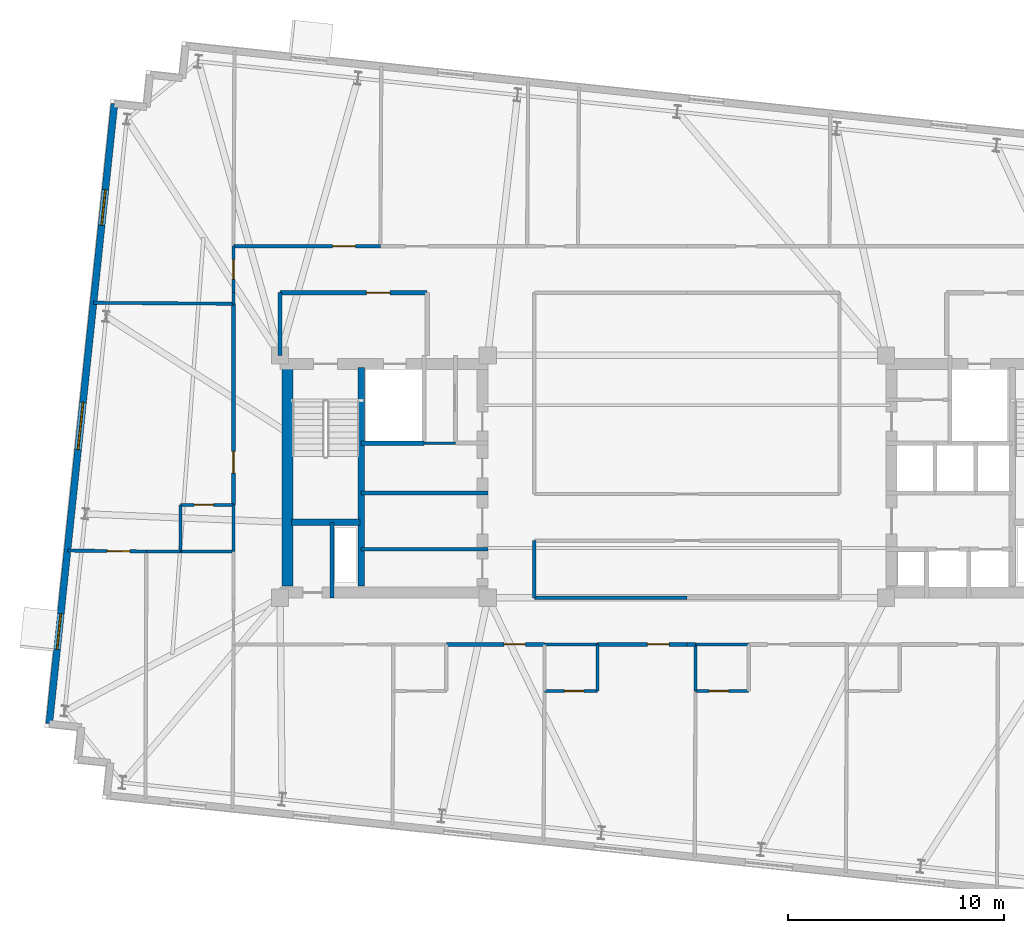
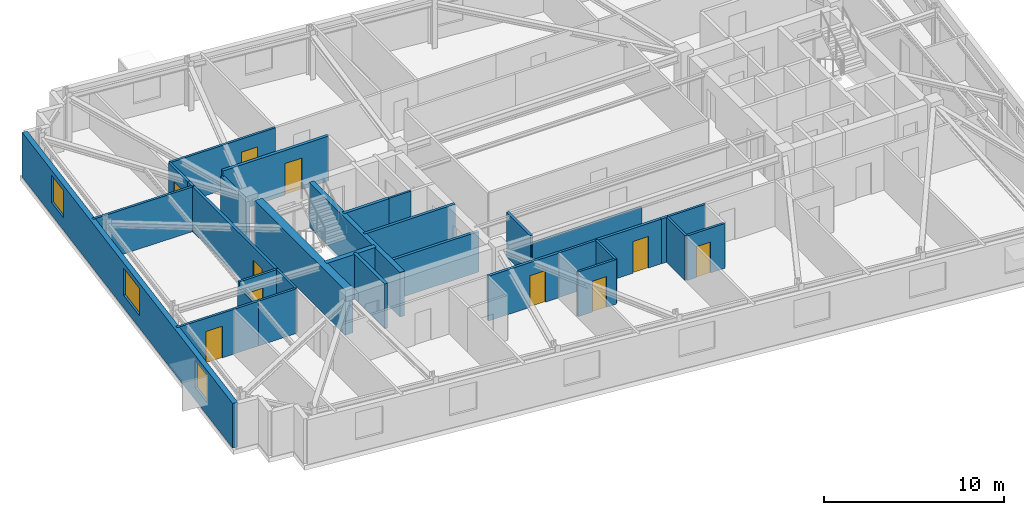
# One storey, part 6 of 11: 33 walls, 10 doors, 3 windows, 13 openings.
"""IFC4 building model written with IfcOpenShell, lengths in metres."""

from ifc_helpers import new_model, si_unit, direction, frame, frame_2d, origin, place, context, subcontext, project, spatial, rectangle, extrude, material, layer, layer_set, type_object, element, fill, save


model = new_model("IFC4")

# Units and contexts
model_context = context("Model", 3, precision=1e-05, world=origin(), true_north=direction((0.0, 1.0)))
body_context = subcontext(model_context, "Body", "Model", "MODEL_VIEW")
ifc_project = project(units=[si_unit("LENGTHUNIT", "METRE"), si_unit("AREAUNIT", "SQUARE_METRE"), si_unit("VOLUMEUNIT", "CUBIC_METRE"), si_unit("PLANEANGLEUNIT", "RADIAN"), si_unit("MASSUNIT", "GRAM", prefix="KILO")], contexts=[model_context])

# Site, building, storey
site_placement = place(None, origin())
site = spatial("IfcSite", under=ifc_project, at=site_placement, CompositionType="ELEMENT")
building_placement = place(site_placement, origin())
building = spatial("IfcBuilding", under=site, at=building_placement, Name="Qobustan Lattice House", CompositionType="ELEMENT")
storey_placement = place(building_placement, frame((0.0, 0.0, 216.5)))
storey = spatial("IfcBuildingStorey", under=building, at=storey_placement, Name="L61", CompositionType="ELEMENT", Elevation=216.5)

# Walls
ifc_material_1 = material(Name="Concrete C50/60", Category="concrete")
ifc_layer_1 = layer(ifc_material_1, 0.5)
ifc_layer_set_1 = layer_set([ifc_layer_1], Name="Concrete C50/60")
wall_type_1 = type_object("IfcWallType", Name="WAL-CORE-500", PredefinedType="SHEAR", material=ifc_layer_set_1)
wall_1_placement = place(storey_placement, frame((-18.4599609375, -5.050048828125, 0.0), z_axis=(0.0, 0.0, 1.0), x_axis=(0.0, 1.0, 0.0)))
element("IfcWall", 1, at=wall_1_placement, inside=storey, type_object=wall_type_1, Name="L61 split-core shear wall CW-W", PredefinedType="SHEAR", context=body_context, shape_type="SweptSolid", body=[
    extrude(rectangle(XDim=10.10009765625, YDim=0.5, at=frame_2d((5.050048828125, 0.0))), origin(), (0.0, 0.0, 1.0), 3.0400390625),
])
ifc_material_2 = material(Name="Concrete C50/60", Category="concrete")
ifc_layer_2 = layer(ifc_material_2, 0.280029296875)
ifc_layer_set_2 = layer_set([ifc_layer_2], Name="Concrete C50/60")
wall_type_2 = type_object("IfcWallType", Name="WAL-CORE-SPINE-280", PredefinedType="SHEAR", material=ifc_layer_set_2)
wall_2_placement = place(storey_placement, frame((-15.050048828125, -5.050048828125, 0.0), z_axis=(0.0, 0.0, 1.0), x_axis=(0.0, 1.0, 0.0)))
element("IfcWall", 2, at=wall_2_placement, inside=storey, type_object=wall_type_2, Name="L61 split-core shear wall CW-M", PredefinedType="SHEAR", context=body_context, shape_type="SweptSolid", body=[
    extrude(rectangle(XDim=10.10009765625, YDim=0.300048828125, at=frame_2d((5.050048828125, 0.0))), origin(), (0.0, 0.0, 1.0), 3.0400390625),
])
wall_3_placement = place(storey_placement, frame((-18.280029296875, -2.110107421875, 0.0), z_axis=(0.0, 0.0, 1.0), x_axis=(1.0, 0.0, 0.0)))
element("IfcWall", 3, at=wall_3_placement, inside=storey, type_object=wall_type_2, Name="L61 split-core shear wall CW-ST", PredefinedType="SHEAR", context=body_context, shape_type="SweptSolid", body=[
    extrude(rectangle(XDim=3.179931640625, YDim=0.300048828125, at=frame_2d((1.58984375, 0.0))), origin(), (0.0, 0.0, 1.0), 3.0400390625),
])

# Wall, openings, windows
ifc_material_3 = material(Name="Precast concrete C40/50", Category="concrete")
ifc_layer_3 = layer(ifc_material_3, 0.320068359375)
ifc_layer_set_3 = layer_set([ifc_layer_3], Name="Precast concrete C40/50")
wall_type_3 = type_object("IfcWallType", Name="WAL-EXT-STONE-320", PredefinedType="SOLIDWALL", material=ifc_layer_set_3)
wall_4_placement = place(storey_placement, frame((-29.46337890625, -11.413818359375, 0.0), z_axis=(0.0, 0.0, 1.0), x_axis=(0.104530779244, 0.994521651947, 0.0)))
wall_4 = element("IfcWall", 4, at=wall_4_placement, inside=storey, type_object=wall_type_3, Name="L61 exterior limestone-clad wall 5", PredefinedType="SOLIDWALL", context=body_context, shape_type="SweptSolid", body=[
    extrude(rectangle(XDim=28.800048828125, YDim=0.320068359375, at=frame_2d((14.39990234375, 0.0))), origin(), (0.0, 0.0, 1.0), 3.0400390625),
])
opening_1_placement = place(wall_4_placement, frame((3.466796875, 0.0, 0.85009765625)))
opening_1 = element("IfcOpeningElement", 5, at=opening_1_placement, cuts=wall_4, Name="Opening WN-09", PredefinedType="OPENING", context=body_context, shape_type="SweptSolid", body=[
    extrude(rectangle(XDim=1.64990234375, YDim=1.85009765625, at=frame_2d((0.824951171875, 0.925048828125))), frame((0.0, 0.169921875, 0.0), z_axis=(0.0, -1.0, 0.0), x_axis=(1.0, 0.0, 0.0)), (0.0, 0.0, 1.0), 0.340087890625),
])
opening_2_placement = place(wall_4_placement, frame((12.73828125, 0.0, 0.85009765625)))
opening_2 = element("IfcOpeningElement", 6, at=opening_2_placement, cuts=wall_4, Name="Opening WN-03", PredefinedType="OPENING", context=body_context, shape_type="SweptSolid", body=[
    extrude(rectangle(XDim=2.199951171875, YDim=1.85009765625, at=frame_2d((1.10009765625, 0.925048828125))), frame((0.0, 0.169921875, 0.0), z_axis=(0.0, -1.0, 0.0), x_axis=(1.0, 0.0, 0.0)), (0.0, 0.0, 1.0), 0.340087890625),
])
opening_3_placement = place(wall_4_placement, frame((23.16162109375, 0.0, 0.85009765625)))
opening_3 = element("IfcOpeningElement", 7, at=opening_3_placement, cuts=wall_4, Name="Opening WN-09", PredefinedType="OPENING", context=body_context, shape_type="SweptSolid", body=[
    extrude(rectangle(XDim=1.64990234375, YDim=1.85009765625, at=frame_2d((0.824951171875, 0.925048828125))), frame((0.0, 0.169921875, 0.0), z_axis=(0.0, -1.0, 0.0), x_axis=(1.0, 0.0, 0.0)), (0.0, 0.0, 1.0), 0.340087890625),
])
ifc_material_4 = material(Name="Double-glazed low-E aluminium window", Category="aluminium")
window_type_1 = type_object("IfcWindowType", Name="WIN-STU-1650x1850", PartitioningType="SINGLE_PANEL", PredefinedType="WINDOW", material=ifc_material_4)
window_1_placement = place(opening_1_placement, origin())
window_1 = element("IfcWindow", 8, at=window_1_placement, inside=storey, type_object=window_type_1, Name="L61 Focus study room W1A window", OverallHeight=1.85009765625, OverallWidth=1.64990234375, PartitioningType="SINGLE_PANEL", PredefinedType="WINDOW", context=body_context, shape_type="SweptSolid", body=[
    extrude(rectangle(XDim=1.64990234375, YDim=1.85009765625, at=frame_2d((0.824951171875, 0.925048828125))), frame((0.0, 0.030029296875, 0.0), z_axis=(0.0, -1.0, 0.0), x_axis=(1.0, 0.0, 0.0)), (0.0, 0.0, 1.0), 0.06005859375),
])
fill(opening_1, window_1)
window_2_placement = place(opening_3_placement, origin())
window_2 = element("IfcWindow", 9, at=window_2_placement, inside=storey, type_object=window_type_1, Name="L61 Focus study room W3 window", OverallHeight=1.85009765625, OverallWidth=1.64990234375, PartitioningType="SINGLE_PANEL", PredefinedType="WINDOW", context=body_context, shape_type="SweptSolid", body=[
    extrude(rectangle(XDim=1.64990234375, YDim=1.85009765625, at=frame_2d((0.824951171875, 0.925048828125))), frame((0.0, 0.030029296875, 0.0), z_axis=(0.0, -1.0, 0.0), x_axis=(1.0, 0.0, 0.0)), (0.0, 0.0, 1.0), 0.06005859375),
])
fill(opening_3, window_2)
ifc_material_5 = material(Name="Double-glazed low-E aluminium window", Category="aluminium")
window_type_2 = type_object("IfcWindowType", Name="WIN-WIDE-2200x1850", PartitioningType="SINGLE_PANEL", PredefinedType="WINDOW", material=ifc_material_5)
window_3_placement = place(opening_2_placement, origin())
window_3 = element("IfcWindow", 10, at=window_3_placement, inside=storey, type_object=window_type_2, Name="L61 Kitchenette and studio apartment L61-W2 window", OverallHeight=1.85009765625, OverallWidth=2.199951171875, PartitioningType="SINGLE_PANEL", PredefinedType="WINDOW", context=body_context, shape_type="SweptSolid", body=[
    extrude(rectangle(XDim=2.199951171875, YDim=1.85009765625, at=frame_2d((1.10009765625, 0.925048828125))), frame((0.0, 0.030029296875, 0.0), z_axis=(0.0, -1.0, 0.0), x_axis=(1.0, 0.0, 0.0)), (0.0, 0.0, 1.0), 0.06005859375),
])
fill(opening_2, window_3)

# Walls
ifc_material_6 = material(Name="Gypsum fireboard acoustic partition", Category="gypsum")
ifc_layer_4 = layer(ifc_material_6, 0.179931640625)
ifc_layer_set_4 = layer_set([ifc_layer_4], Name="Gypsum fireboard acoustic partition")
wall_type_4 = type_object("IfcWallType", Name="WAL-FIRE-180", PredefinedType="PARTITIONING", material=ifc_layer_set_4)
wall_5_placement = place(storey_placement, frame((-15.050048828125, -3.35009765625, 0.0), z_axis=(0.0, 0.0, 1.0), x_axis=(1.0, 0.0, 0.0)))
element("IfcWall", 11, at=wall_5_placement, inside=storey, type_object=wall_type_4, Name="L61 interior partition 10", PredefinedType="PARTITIONING", context=body_context, shape_type="SweptSolid", body=[
    extrude(rectangle(XDim=5.85009765625, YDim=0.179931640625, at=frame_2d((2.925048828125, 0.0))), origin(), (0.0, 0.0, 1.0), 2.7548828125),
])
wall_6_placement = place(storey_placement, frame((-9.199951171875, -0.75, 0.0), z_axis=(0.0, 0.0, 1.0), x_axis=(-1.0, 0.0, 0.0)))
element("IfcWall", 12, at=wall_6_placement, inside=storey, type_object=wall_type_4, Name="L61 interior partition 11", PredefinedType="PARTITIONING", context=body_context, shape_type="SweptSolid", body=[
    extrude(rectangle(XDim=5.85009765625, YDim=0.179931640625, at=frame_2d((2.925048828125, 0.0))), origin(), (0.0, 0.0, 1.0), 3.0400390625),
])

# Wall, opening, door
wall_7_placement = place(storey_placement, frame((-6.5830078125, -7.75, 0.0), z_axis=(0.0, 0.0, 1.0), x_axis=(-1.0, 0.0, 0.0)))
wall_7 = element("IfcWall", 13, at=wall_7_placement, inside=storey, type_object=wall_type_4, Name="L61 interior partition 46", PredefinedType="PARTITIONING", context=body_context, shape_type="SweptSolid", body=[
    extrude(rectangle(XDim=4.533935546875, YDim=0.179931640625, at=frame_2d((2.26708984375, 0.0))), origin(), (0.0, 0.0, 1.0), 3.0400390625),
])
opening_4_placement = place(wall_7_placement, frame((0.876708984375, 0.0, 0.0)))
opening_4 = element("IfcOpeningElement", 14, at=opening_4_placement, cuts=wall_7, Name="Opening FD-02", PredefinedType="OPENING", context=body_context, shape_type="SweptSolid", body=[
    extrude(rectangle(XDim=1.0, YDim=2.14990234375, at=frame_2d((0.5, 1.074951171875))), frame((0.0, 0.099853515625, 0.0), z_axis=(0.0, -1.0, 0.0), x_axis=(1.0, 0.0, 0.0)), (0.0, 0.0, 1.0), 0.199951171875),
])
ifc_material_7 = material(Name="Persian walnut timber and steel frame door", Category="steel")
door_type_1 = type_object("IfcDoorType", Name="DOR-UNIT-FD-1000x2150", OperationType="NOTDEFINED", PredefinedType="DOOR", material=ifc_material_7)
door_1_placement = place(opening_4_placement, origin())
door_1 = element("IfcDoor", 15, at=door_1_placement, inside=storey, type_object=door_type_1, Name="L61 South-west floor corridor to Kitchenette and studio apartment L61-S2 door", OperationType="SINGLE_SWING_RIGHT", OverallHeight=2.14990234375, OverallWidth=1.0, PredefinedType="DOOR", context=body_context, shape_type="SweptSolid", body=[
    extrude(rectangle(XDim=1.0, YDim=2.14990234375, at=frame_2d((0.5, 1.074951171875))), frame((0.0, 0.02490234375, 0.0), z_axis=(0.0, -1.0, 0.0), x_axis=(1.0, 0.0, 0.0)), (0.0, 0.0, 1.0), 0.050048828125),
])
fill(opening_4, door_1)

wall_8_placement = place(storey_placement, frame((0.0, -7.75, 0.0), z_axis=(0.0, 0.0, 1.0), x_axis=(-1.0, 0.0, 0.0)))
wall_8 = element("IfcWall", 16, at=wall_8_placement, inside=storey, type_object=wall_type_4, Name="L61 interior partition 48", PredefinedType="PARTITIONING", context=body_context, shape_type="SweptSolid", body=[
    extrude(rectangle(XDim=4.133056640625, YDim=0.179931640625, at=frame_2d((2.06640625, 0.0))), origin(), (0.0, 0.0, 1.0), 3.0400390625),
])
opening_5_placement = place(wall_8_placement, frame((0.82666015625, 0.0, 0.0)))
opening_5 = element("IfcOpeningElement", 17, at=opening_5_placement, cuts=wall_8, Name="Opening FD-02", PredefinedType="OPENING", context=body_context, shape_type="SweptSolid", body=[
    extrude(rectangle(XDim=1.0, YDim=2.14990234375, at=frame_2d((0.5, 1.074951171875))), frame((0.0, 0.099853515625, 0.0), z_axis=(0.0, -1.0, 0.0), x_axis=(1.0, 0.0, 0.0)), (0.0, 0.0, 1.0), 0.199951171875),
])
door_2_placement = place(opening_5_placement, origin())
door_2 = element("IfcDoor", 18, at=door_2_placement, inside=storey, type_object=door_type_1, Name="L61 South-west floor corridor to Kitchenette and studio apartment L61-S3 door", OperationType="SINGLE_SWING_LEFT", OverallHeight=2.14990234375, OverallWidth=1.0, PredefinedType="DOOR", context=body_context, shape_type="SweptSolid", body=[
    extrude(rectangle(XDim=1.0, YDim=2.14990234375, at=frame_2d((0.5, 1.074951171875))), frame((0.0, 0.02490234375, 0.0), z_axis=(0.0, -1.0, 0.0), x_axis=(1.0, 0.0, 0.0)), (0.0, 0.0, 1.0), 0.050048828125),
])
fill(opening_5, door_2)

# Wall
wall_9_placement = place(storey_placement, frame((0.39990234375, -7.75, 0.0), z_axis=(0.0, 0.0, 1.0), x_axis=(-1.0, 0.0, 0.0)))
element("IfcWall", 19, at=wall_9_placement, inside=storey, type_object=wall_type_4, Name="L61 interior partition 52", PredefinedType="PARTITIONING", context=body_context, shape_type="SweptSolid", body=[
    extrude(rectangle(XDim=0.39990234375, YDim=0.179931640625, at=frame_2d((0.199951171875, 0.0))), origin(), (0.0, 0.0, 1.0), 3.0400390625),
])

# Wall, opening, door
wall_10_placement = place(storey_placement, frame((-20.949951171875, -1.305908203125, 0.0), z_axis=(0.0, 0.0, 1.0), x_axis=(0.0, 1.0, 0.0)))
wall_10 = element("IfcWall", 20, at=wall_10_placement, inside=storey, type_object=wall_type_4, Name="L61 interior partition 60", PredefinedType="PARTITIONING", context=body_context, shape_type="SweptSolid", body=[
    extrude(rectangle(XDim=9.2958984375, YDim=0.179931640625, at=frame_2d((4.64794921875, 0.0))), origin(), (0.0, 0.0, 1.0), 3.0400390625),
])
opening_6_placement = place(wall_10_placement, frame((1.471923828125, 0.0, 0.0)))
opening_6 = element("IfcOpeningElement", 21, at=opening_6_placement, cuts=wall_10, Name="Opening FD-02", PredefinedType="OPENING", context=body_context, shape_type="SweptSolid", body=[
    extrude(rectangle(XDim=1.0, YDim=2.14990234375, at=frame_2d((0.5, 1.074951171875))), frame((0.0, 0.099853515625, 0.0), z_axis=(0.0, -1.0, 0.0), x_axis=(1.0, 0.0, 0.0)), (0.0, 0.0, 1.0), 0.199951171875),
])
door_3_placement = place(opening_6_placement, origin())
door_3 = element("IfcDoor", 22, at=door_3_placement, inside=storey, type_object=door_type_1, Name="L61 West wing spine gallery to Kitchenette and studio apartment L61-W2 door", OperationType="SINGLE_SWING_LEFT", OverallHeight=2.14990234375, OverallWidth=1.0, PredefinedType="DOOR", context=body_context, shape_type="SweptSolid", body=[
    extrude(rectangle(XDim=1.0, YDim=2.14990234375, at=frame_2d((0.5, 1.074951171875))), frame((0.0, 0.02490234375, 0.0), z_axis=(0.0, -1.0, 0.0), x_axis=(1.0, 0.0, 0.0)), (0.0, 0.0, 1.0), 0.050048828125),
])
fill(opening_6, door_3)

# Wall
ifc_material_8 = material(Name="Lightweight acoustic stud partition", Category="gypsum")
ifc_layer_5 = layer(ifc_material_8, 0.125)
ifc_layer_set_5 = layer_set([ifc_layer_5], Name="Lightweight acoustic stud partition")
wall_type_5 = type_object("IfcWallType", Name="WAL-PART-125", PredefinedType="PARTITIONING", material=ifc_layer_set_5)
wall_11_placement = place(storey_placement, frame((-12.14990234375, 1.550048828125, 0.0), z_axis=(0.0, 0.0, 1.0), x_axis=(1.0, 0.0, 0.0)))
element("IfcWall", 23, at=wall_11_placement, inside=storey, type_object=wall_type_5, Name="L61 interior partition 9", PredefinedType="PARTITIONING", context=body_context, shape_type="SweptSolid", body=[
    extrude(rectangle(XDim=1.449951171875, YDim=0.125, at=frame_2d((0.72509765625, 0.0))), origin(), (0.0, 0.0, 1.0), 3.0400390625),
])

# Wall, opening, door
ifc_material_9 = material(Name="Acoustic twin-stud gypsum partition", Category="gypsum")
ifc_layer_6 = layer(ifc_material_9, 0.14990234375)
ifc_layer_set_6 = layer_set([ifc_layer_6], Name="Acoustic twin-stud gypsum partition")
wall_type_6 = type_object("IfcWallType", Name="WAL-PART-150", PredefinedType="PARTITIONING", material=ifc_layer_set_6)
wall_12_placement = place(storey_placement, frame((-20.949951171875, 8.5, 0.0), z_axis=(0.0, 0.0, 1.0), x_axis=(0.0, 1.0, 0.0)))
wall_12 = element("IfcWall", 24, at=wall_12_placement, inside=storey, type_object=wall_type_6, Name="L61 interior partition 34", PredefinedType="PARTITIONING", context=body_context, shape_type="SweptSolid", body=[
    extrude(rectangle(XDim=2.14990234375, YDim=0.14990234375, at=frame_2d((1.074951171875, 0.0))), origin(), (0.0, 0.0, 1.0), 3.0400390625),
])
opening_7_placement = place(wall_12_placement, frame((0.625, 0.0, 0.0)))
opening_7 = element("IfcOpeningElement", 25, at=opening_7_placement, cuts=wall_12, Name="Opening WD-01", PredefinedType="OPENING", context=body_context, shape_type="SweptSolid", body=[
    extrude(rectangle(XDim=0.89990234375, YDim=2.10009765625, at=frame_2d((0.449951171875, 1.050048828125))), frame((0.0, 0.0849609375, 0.0), z_axis=(0.0, -1.0, 0.0), x_axis=(1.0, 0.0, 0.0)), (0.0, 0.0, 1.0), 0.169921875),
])
ifc_material_10 = material(Name="Persian walnut timber and steel frame door", Category="steel")
door_type_2 = type_object("IfcDoorType", Name="DOR-WET-900x2100", OperationType="NOTDEFINED", PredefinedType="DOOR", material=ifc_material_10)
door_4_placement = place(opening_7_placement, origin())
door_4 = element("IfcDoor", 26, at=door_4_placement, inside=storey, type_object=door_type_2, Name="L61 North-west floor corridor to Focus study room W3 door", OperationType="SINGLE_SWING_RIGHT", OverallHeight=2.10009765625, OverallWidth=0.89990234375, PredefinedType="DOOR", context=body_context, shape_type="SweptSolid", body=[
    extrude(rectangle(XDim=0.89990234375, YDim=2.10009765625, at=frame_2d((0.449951171875, 1.050048828125))), frame((0.0, 0.02490234375, 0.0), z_axis=(0.0, -1.0, 0.0), x_axis=(1.0, 0.0, 0.0)), (0.0, 0.0, 1.0), 0.050048828125),
])
fill(opening_7, door_4)

wall_13_placement = place(storey_placement, frame((-20.949951171875, 10.64990234375, 0.0), z_axis=(0.0, 0.0, 1.0), x_axis=(1.0, 0.0, 0.0)))
wall_13 = element("IfcWall", 27, at=wall_13_placement, inside=storey, type_object=wall_type_6, Name="L61 interior partition 35", PredefinedType="PARTITIONING", context=body_context, shape_type="SweptSolid", body=[
    extrude(rectangle(XDim=6.783447265625, YDim=0.14990234375, at=frame_2d((3.3916015625, 0.0))), origin(), (0.0, 0.0, 1.0), 3.0400390625),
])
opening_8_placement = place(wall_13_placement, frame((4.581787109375, 0.0, 0.0)))
opening_8 = element("IfcOpeningElement", 28, at=opening_8_placement, cuts=wall_13, Name="Opening ID-02", PredefinedType="OPENING", context=body_context, shape_type="SweptSolid", body=[
    extrude(rectangle(XDim=1.050048828125, YDim=2.14990234375, at=frame_2d((0.52490234375, 1.074951171875))), frame((0.0, 0.0849609375, 0.0), z_axis=(0.0, -1.0, 0.0), x_axis=(1.0, 0.0, 0.0)), (0.0, 0.0, 1.0), 0.169921875),
])
ifc_material_11 = material(Name="Persian walnut timber and steel frame door", Category="steel")
door_type_3 = type_object("IfcDoorType", Name="DOR-STUDY-1050x2150", OperationType="NOTDEFINED", PredefinedType="DOOR", material=ifc_material_11)
door_5_placement = place(opening_8_placement, origin())
door_5 = element("IfcDoor", 29, at=door_5_placement, inside=storey, type_object=door_type_3, Name="L61 North-west floor corridor to Focus study room N1A door", OperationType="SINGLE_SWING_LEFT", OverallHeight=2.14990234375, OverallWidth=1.050048828125, PredefinedType="DOOR", context=body_context, shape_type="SweptSolid", body=[
    extrude(rectangle(XDim=1.050048828125, YDim=2.14990234375, at=frame_2d((0.52490234375, 1.074951171875))), frame((0.0, 0.02490234375, 0.0), z_axis=(0.0, -1.0, 0.0), x_axis=(1.0, 0.0, 0.0)), (0.0, 0.0, 1.0), 0.050048828125),
])
fill(opening_8, door_5)

# Wall
wall_14_placement = place(storey_placement, frame((-20.949951171875, 7.989990234375, 0.0), z_axis=(0.0, 0.0, 1.0), x_axis=(0.0, 1.0, 0.0)))
element("IfcWall", 30, at=wall_14_placement, inside=storey, type_object=wall_type_6, Name="L61 interior partition 62", PredefinedType="PARTITIONING", context=body_context, shape_type="SweptSolid", body=[
    extrude(rectangle(XDim=0.510009765625, YDim=0.14990234375, at=frame_2d((0.2548828125, 0.0))), origin(), (0.0, 0.0, 1.0), 3.0400390625),
])

# Wall, opening, door
wall_15_placement = place(storey_placement, frame((-28.622314453125, -3.412109375, 0.0), z_axis=(0.0, 0.0, 1.0), x_axis=(0.999927389555, -0.01205054433, 0.0)))
wall_15 = element("IfcWall", 31, at=wall_15_placement, inside=storey, type_object=wall_type_6, Name="L61 interior partition 72", PredefinedType="PARTITIONING", context=body_context, shape_type="SweptSolid", body=[
    extrude(rectangle(XDim=3.646728515625, YDim=0.14990234375, at=frame_2d((1.8232421875, 0.0))), origin(), (0.0, 0.0, 1.0), 3.0400390625),
])
opening_9_placement = place(wall_15_placement, frame((1.837158203125, 0.0, 0.0)))
opening_9 = element("IfcOpeningElement", 32, at=opening_9_placement, cuts=wall_15, Name="Opening ID-02", PredefinedType="OPENING", context=body_context, shape_type="SweptSolid", body=[
    extrude(rectangle(XDim=1.050048828125, YDim=2.14990234375, at=frame_2d((0.52490234375, 1.074951171875))), frame((0.0, 0.0849609375, 0.0), z_axis=(0.0, -1.0, 0.0), x_axis=(1.0, 0.0, 0.0)), (0.0, 0.0, 1.0), 0.169921875),
])
door_6_placement = place(opening_9_placement, origin())
door_6 = element("IfcDoor", 33, at=door_6_placement, inside=storey, type_object=door_type_3, Name="L61 Focus study room W1A to Kitchenette and studio apartment L61-W2 door", OperationType="SINGLE_SWING_RIGHT", OverallHeight=2.14990234375, OverallWidth=1.050048828125, PredefinedType="DOOR", context=body_context, shape_type="SweptSolid", body=[
    extrude(rectangle(XDim=1.050048828125, YDim=2.14990234375, at=frame_2d((0.52490234375, 1.074951171875))), frame((0.0, 0.02490234375, 0.0), z_axis=(0.0, -1.0, 0.0), x_axis=(1.0, 0.0, 0.0)), (0.0, 0.0, 1.0), 0.050048828125),
])
fill(opening_9, door_6)

# Walls
wall_16_placement = place(storey_placement, frame((-24.975830078125, -3.4560546875, 0.0), z_axis=(0.0, 0.0, 1.0), x_axis=(1.0, 0.0, 0.0)))
element("IfcWall", 34, at=wall_16_placement, inside=storey, type_object=wall_type_6, Name="L61 interior partition 73", PredefinedType="PARTITIONING", context=body_context, shape_type="SweptSolid", body=[
    extrude(rectangle(XDim=1.575927734375, YDim=0.14990234375, at=frame_2d((0.7880859375, 0.0))), origin(), (0.0, 0.0, 1.0), 3.0400390625),
])
wall_17_placement = place(storey_placement, frame((-27.419189453125, 8.033935546875, 0.0), z_axis=(0.0, 0.0, 1.0), x_axis=(0.999976928608, -0.006792808784, 0.0)))
element("IfcWall", 35, at=wall_17_placement, inside=storey, type_object=wall_type_6, Name="L61 interior partition 78", PredefinedType="PARTITIONING", context=body_context, shape_type="SweptSolid", body=[
    extrude(rectangle(XDim=6.469482421875, YDim=0.14990234375, at=frame_2d((3.23486328125, 0.0))), origin(), (0.0, 0.0, 1.0), 3.0400390625),
])
ifc_material_12 = material(Name="High-mass acoustic twin-stud partition", Category="gypsum")
ifc_layer_7 = layer(ifc_material_12, 0.1650390625)
ifc_layer_set_7 = layer_set([ifc_layer_7], Name="High-mass acoustic twin-stud partition")
wall_type_7 = type_object("IfcWallType", Name="WAL-PART-165", PredefinedType="PARTITIONING", material=ifc_layer_set_7)
wall_18_placement = place(storey_placement, frame((-7.050048828125, -5.60009765625, 0.0), z_axis=(0.0, 0.0, 1.0), x_axis=(1.0, 0.0, 0.0)))
element("IfcWall", 36, at=wall_18_placement, inside=storey, type_object=wall_type_7, Name="L61 interior partition 50", PredefinedType="PARTITIONING", context=body_context, shape_type="SweptSolid", body=[
    extrude(rectangle(XDim=7.050048828125, YDim=0.1650390625, at=frame_2d((3.52490234375, 0.0))), origin(), (0.0, 0.0, 1.0), 2.52490234375),
])
wall_19_placement = place(storey_placement, frame((-7.050048828125, -2.949951171875, 0.0), z_axis=(0.0, 0.0, 1.0), x_axis=(0.0, -1.0, 0.0)))
element("IfcWall", 37, at=wall_19_placement, inside=storey, type_object=wall_type_7, Name="L61 interior partition 68", PredefinedType="PARTITIONING", context=body_context, shape_type="SweptSolid", body=[
    extrude(rectangle(XDim=2.650146484375, YDim=0.1650390625, at=frame_2d((1.3251953125, 0.0))), origin(), (0.0, 0.0, 1.0), 3.0400390625),
])

# Wall, opening, door
ifc_material_13 = material(Name="Two-hour gypsum fireboard acoustic partition", Category="gypsum")
ifc_layer_8 = layer(ifc_material_13, 0.199951171875)
ifc_layer_set_8 = layer_set([ifc_layer_8], Name="Two-hour gypsum fireboard acoustic partition")
wall_type_8 = type_object("IfcWallType", Name="WAL-PROT-200", PredefinedType="PARTITIONING", material=ifc_layer_set_8)
wall_20_placement = place(storey_placement, frame((-12.0, 8.5, 0.0), z_axis=(0.0, 0.0, 1.0), x_axis=(-1.0, 0.0, 0.0)))
wall_20 = element("IfcWall", 38, at=wall_20_placement, inside=storey, type_object=wall_type_8, Name="L61 interior partition 3", PredefinedType="PARTITIONING", context=body_context, shape_type="SweptSolid", body=[
    extrude(rectangle(XDim=6.800048828125, YDim=0.199951171875, at=frame_2d((3.39990234375, 0.0))), origin(), (0.0, 0.0, 1.0), 3.0400390625),
])
opening_10_placement = place(wall_20_placement, frame((1.715087890625, 0.0, 0.0)))
opening_10 = element("IfcOpeningElement", 39, at=opening_10_placement, cuts=wall_20, Name="Opening SD-01", PredefinedType="OPENING", context=body_context, shape_type="SweptSolid", body=[
    extrude(rectangle(XDim=1.10009765625, YDim=2.14990234375, at=frame_2d((0.550048828125, 1.074951171875))), frame((0.0, 0.10986328125, 0.0), z_axis=(0.0, -1.0, 0.0), x_axis=(1.0, 0.0, 0.0)), (0.0, 0.0, 1.0), 0.219970703125),
])
ifc_material_14 = material(Name="Persian walnut timber and steel frame door", Category="steel")
door_type_4 = type_object("IfcDoorType", Name="DOR-STAIR-FD-1100x2150", OperationType="NOTDEFINED", PredefinedType="DOOR", material=ifc_material_14)
door_7_placement = place(opening_10_placement, origin())
door_7 = element("IfcDoor", 40, at=door_7_placement, inside=storey, type_object=door_type_4, Name="L61 West firefighting lift lobby to North-west floor corridor door", OperationType="SINGLE_SWING_RIGHT", OverallHeight=2.14990234375, OverallWidth=1.10009765625, PredefinedType="DOOR", context=body_context, shape_type="SweptSolid", body=[
    extrude(rectangle(XDim=1.10009765625, YDim=2.14990234375, at=frame_2d((0.550048828125, 1.074951171875))), frame((0.0, 0.02490234375, 0.0), z_axis=(0.0, -1.0, 0.0), x_axis=(1.0, 0.0, 0.0)), (0.0, 0.0, 1.0), 0.050048828125),
])
fill(opening_10, door_7)

# Walls
wall_21_placement = place(storey_placement, frame((-18.800048828125, 8.5, 0.0), z_axis=(0.0, 0.0, 1.0), x_axis=(0.0, -1.0, 0.0)))
element("IfcWall", 41, at=wall_21_placement, inside=storey, type_object=wall_type_8, Name="L61 interior partition 4", PredefinedType="PARTITIONING", context=body_context, shape_type="SweptSolid", body=[
    extrude(rectangle(XDim=2.89990234375, YDim=0.199951171875, at=frame_2d((1.449951171875, 0.0))), origin(), (0.0, 0.0, 1.0), 2.6650390625),
])
ifc_material_15 = material(Name="Concrete C40/50", Category="concrete")
ifc_layer_9 = layer(ifc_material_15, 0.199951171875)
ifc_layer_set_9 = layer_set([ifc_layer_9], Name="Concrete C40/50")
wall_type_9 = type_object("IfcWallType", Name="WAL-SHAFT-200", PredefinedType="PARTITIONING", material=ifc_layer_set_9)
wall_22_placement = place(storey_placement, frame((-16.39990234375, -5.60009765625, 0.0), z_axis=(0.0, 0.0, 1.0), x_axis=(0.0, 1.0, 0.0)))
element("IfcWall", 42, at=wall_22_placement, inside=storey, type_object=wall_type_9, Name="L61 interior partition 1", PredefinedType="PARTITIONING", context=body_context, shape_type="SweptSolid", body=[
    extrude(rectangle(XDim=3.489990234375, YDim=0.199951171875, at=frame_2d((1.7451171875, 0.0))), origin(), (0.0, 0.0, 1.0), 3.0400390625),
])
wall_23_placement = place(storey_placement, frame((-15.050048828125, 1.550048828125, 0.0), z_axis=(0.0, 0.0, 1.0), x_axis=(1.0, 0.0, 0.0)))
element("IfcWall", 43, at=wall_23_placement, inside=storey, type_object=wall_type_9, Name="L61 interior partition 104", PredefinedType="PARTITIONING", context=body_context, shape_type="SweptSolid", body=[
    extrude(rectangle(XDim=2.900146484375, YDim=0.199951171875, at=frame_2d((1.4501953125, 0.0))), origin(), (0.0, 0.0, 1.0), 3.0400390625),
])
ifc_material_16 = material(Name="Moisture-resistant acoustic plumbing wall", Category="gypsum")
ifc_layer_10 = layer(ifc_material_16, 0.14990234375)
ifc_layer_set_10 = layer_set([ifc_layer_10], Name="Moisture-resistant acoustic plumbing wall")
wall_type_10 = type_object("IfcWallType", Name="WAL-WET-150", PredefinedType="PLUMBINGWALL", material=ifc_layer_set_10)
wall_24_placement = place(storey_placement, frame((-4.133056640625, -7.75, 0.0), z_axis=(0.0, 0.0, 1.0), x_axis=(-1.0, 0.0, 0.0)))
element("IfcWall", 44, at=wall_24_placement, inside=storey, type_object=wall_type_10, Name="L61 interior partition 49", PredefinedType="PLUMBINGWALL", context=body_context, shape_type="SweptSolid", body=[
    extrude(rectangle(XDim=2.449951171875, YDim=0.14990234375, at=frame_2d((1.22509765625, 0.0))), origin(), (0.0, 0.0, 1.0), 3.0400390625),
])
wall_25_placement = place(storey_placement, frame((2.85009765625, -7.75, 0.0), z_axis=(0.0, 0.0, 1.0), x_axis=(-1.0, 0.0, 0.0)))
element("IfcWall", 45, at=wall_25_placement, inside=storey, type_object=wall_type_10, Name="L61 interior partition 54", PredefinedType="PLUMBINGWALL", context=body_context, shape_type="SweptSolid", body=[
    extrude(rectangle(XDim=2.4501953125, YDim=0.14990234375, at=frame_2d((1.22509765625, 0.0))), origin(), (0.0, 0.0, 1.0), 3.0400390625),
])
wall_26_placement = place(storey_placement, frame((-20.949951171875, -3.4560546875, 0.0), z_axis=(0.0, 0.0, 1.0), x_axis=(0.0, 1.0, 0.0)))
element("IfcWall", 46, at=wall_26_placement, inside=storey, type_object=wall_type_10, Name="L61 interior partition 61", PredefinedType="PLUMBINGWALL", context=body_context, shape_type="SweptSolid", body=[
    extrude(rectangle(XDim=2.150146484375, YDim=0.14990234375, at=frame_2d((1.0751953125, 0.0))), origin(), (0.0, 0.0, 1.0), 3.0400390625),
])
wall_27_placement = place(storey_placement, frame((-23.39990234375, -3.4560546875, 0.0), z_axis=(0.0, 0.0, 1.0), x_axis=(1.0, 0.0, 0.0)))
element("IfcWall", 47, at=wall_27_placement, inside=storey, type_object=wall_type_10, Name="L61 interior partition 74", PredefinedType="PLUMBINGWALL", context=body_context, shape_type="SweptSolid", body=[
    extrude(rectangle(XDim=2.449951171875, YDim=0.14990234375, at=frame_2d((1.22509765625, 0.0))), origin(), (0.0, 0.0, 1.0), 3.0400390625),
])

# Wall, opening, door
wall_28_placement = place(storey_placement, frame((-20.949951171875, -1.305908203125, 0.0), z_axis=(0.0, 0.0, 1.0), x_axis=(-1.0, 0.0, 0.0)))
wall_28 = element("IfcWall", 48, at=wall_28_placement, inside=storey, type_object=wall_type_10, Name="L61 interior partition 76", PredefinedType="PLUMBINGWALL", context=body_context, shape_type="SweptSolid", body=[
    extrude(rectangle(XDim=2.449951171875, YDim=0.14990234375, at=frame_2d((1.22509765625, 0.0))), origin(), (0.0, 0.0, 1.0), 3.0400390625),
])
opening_11_placement = place(wall_28_placement, frame((0.921142578125, 0.0, 0.0)))
opening_11 = element("IfcOpeningElement", 49, at=opening_11_placement, cuts=wall_28, Name="Opening WD-01", PredefinedType="OPENING", context=body_context, shape_type="SweptSolid", body=[
    extrude(rectangle(XDim=0.89990234375, YDim=2.10009765625, at=frame_2d((0.449951171875, 1.050048828125))), frame((0.0, 0.0849609375, 0.0), z_axis=(0.0, -1.0, 0.0), x_axis=(1.0, 0.0, 0.0)), (0.0, 0.0, 1.0), 0.169921875),
])
door_8_placement = place(opening_11_placement, origin())
door_8 = element("IfcDoor", 50, at=door_8_placement, inside=storey, type_object=door_type_2, Name="L61 Kitchenette and studio apartment L61-W2 to En-suite bathroom L61-W2 door", OperationType="SINGLE_SWING_LEFT", OverallHeight=2.10009765625, OverallWidth=0.89990234375, PredefinedType="DOOR", context=body_context, shape_type="SweptSolid", body=[
    extrude(rectangle(XDim=0.89990234375, YDim=2.10009765625, at=frame_2d((0.449951171875, 1.050048828125))), frame((0.0, 0.02490234375, 0.0), z_axis=(0.0, -1.0, 0.0), x_axis=(1.0, 0.0, 0.0)), (0.0, 0.0, 1.0), 0.050048828125),
])
fill(opening_11, door_8)

# Wall
wall_29_placement = place(storey_placement, frame((-23.39990234375, -1.305908203125, 0.0), z_axis=(0.0, 0.0, 1.0), x_axis=(0.0, -1.0, 0.0)))
element("IfcWall", 51, at=wall_29_placement, inside=storey, type_object=wall_type_10, Name="L61 interior partition 77", PredefinedType="PLUMBINGWALL", context=body_context, shape_type="SweptSolid", body=[
    extrude(rectangle(XDim=2.150146484375, YDim=0.14990234375, at=frame_2d((1.0751953125, 0.0))), origin(), (0.0, 0.0, 1.0), 2.695068359375),
])

# Wall, opening, door
wall_30_placement = place(storey_placement, frame((-6.5830078125, -9.89990234375, 0.0), z_axis=(0.0, 0.0, 1.0), x_axis=(1.0, 0.0, 0.0)))
wall_30 = element("IfcWall", 52, at=wall_30_placement, inside=storey, type_object=wall_type_10, Name="L61 interior partition 93", PredefinedType="PLUMBINGWALL", context=body_context, shape_type="SweptSolid", body=[
    extrude(rectangle(XDim=2.449951171875, YDim=0.14990234375, at=frame_2d((1.22509765625, 0.0))), origin(), (0.0, 0.0, 1.0), 3.0400390625),
])
opening_12_placement = place(wall_30_placement, frame((0.92138671875, 0.0, 0.0)))
opening_12 = element("IfcOpeningElement", 53, at=opening_12_placement, cuts=wall_30, Name="Opening WD-01", PredefinedType="OPENING", context=body_context, shape_type="SweptSolid", body=[
    extrude(rectangle(XDim=0.89990234375, YDim=2.10009765625, at=frame_2d((0.449951171875, 1.050048828125))), frame((0.0, 0.0849609375, 0.0), z_axis=(0.0, -1.0, 0.0), x_axis=(1.0, 0.0, 0.0)), (0.0, 0.0, 1.0), 0.169921875),
])
door_9_placement = place(opening_12_placement, origin())
door_9 = element("IfcDoor", 54, at=door_9_placement, inside=storey, type_object=door_type_2, Name="L61 Kitchenette and studio apartment L61-S3 to En-suite bathroom L61-S3 door", OperationType="SINGLE_SWING_LEFT", OverallHeight=2.10009765625, OverallWidth=0.89990234375, PredefinedType="DOOR", context=body_context, shape_type="SweptSolid", body=[
    extrude(rectangle(XDim=0.89990234375, YDim=2.10009765625, at=frame_2d((0.449951171875, 1.050048828125))), frame((0.0, 0.02490234375, 0.0), z_axis=(0.0, -1.0, 0.0), x_axis=(1.0, 0.0, 0.0)), (0.0, 0.0, 1.0), 0.050048828125),
])
fill(opening_12, door_9)

# Walls
for number, where, z_axis, x_axis, name in (
    (55, (-4.133056640625, -9.89990234375, 0.0), (0.0, 0.0, 1.0), (0.0, 1.0, 0.0), "L61 interior partition 94"),
    (56, (0.39990234375, -7.75, 0.0), (0.0, 0.0, 1.0), (0.0, -1.0, 0.0), "L61 interior partition 96"),
):
    element("IfcWall", number, at=place(storey_placement, frame(where, z_axis=z_axis, x_axis=x_axis)), inside=storey, type_object=wall_type_10, Name=name, PredefinedType="PLUMBINGWALL", context=body_context, shape_type="SweptSolid", body=[
        extrude(rectangle(XDim=2.14990234375, YDim=0.14990234375, at=frame_2d((1.074951171875, 0.0))), origin(), (0.0, 0.0, 1.0), 3.0400390625),
    ])

# Wall, opening, door
wall_31_placement = place(storey_placement, frame((0.39990234375, -9.89990234375, 0.0), z_axis=(0.0, 0.0, 1.0), x_axis=(1.0, 0.0, 0.0)))
wall_31 = element("IfcWall", 57, at=wall_31_placement, inside=storey, type_object=wall_type_10, Name="L61 interior partition 97", PredefinedType="PLUMBINGWALL", context=body_context, shape_type="SweptSolid", body=[
    extrude(rectangle(XDim=2.4501953125, YDim=0.14990234375, at=frame_2d((1.22509765625, 0.0))), origin(), (0.0, 0.0, 1.0), 3.0400390625),
])
opening_13_placement = place(wall_31_placement, frame((0.62890625, 0.0, 0.0)))
opening_13 = element("IfcOpeningElement", 58, at=opening_13_placement, cuts=wall_31, Name="Opening WD-01", PredefinedType="OPENING", context=body_context, shape_type="SweptSolid", body=[
    extrude(rectangle(XDim=0.89990234375, YDim=2.10009765625, at=frame_2d((0.449951171875, 1.050048828125))), frame((0.0, 0.0849609375, 0.0), z_axis=(0.0, -1.0, 0.0), x_axis=(1.0, 0.0, 0.0)), (0.0, 0.0, 1.0), 0.169921875),
])
door_10_placement = place(opening_13_placement, origin())
door_10 = element("IfcDoor", 59, at=door_10_placement, inside=storey, type_object=door_type_2, Name="L61 Kitchenette and studio apartment L61-S4 to En-suite bathroom L61-S4 door", OperationType="SINGLE_SWING_RIGHT", OverallHeight=2.10009765625, OverallWidth=0.89990234375, PredefinedType="DOOR", context=body_context, shape_type="SweptSolid", body=[
    extrude(rectangle(XDim=0.89990234375, YDim=2.10009765625, at=frame_2d((0.449951171875, 1.050048828125))), frame((0.0, 0.02490234375, 0.0), z_axis=(0.0, -1.0, 0.0), x_axis=(1.0, 0.0, 0.0)), (0.0, 0.0, 1.0), 0.050048828125),
])
fill(opening_13, door_10)

save(model, "model.ifc")
